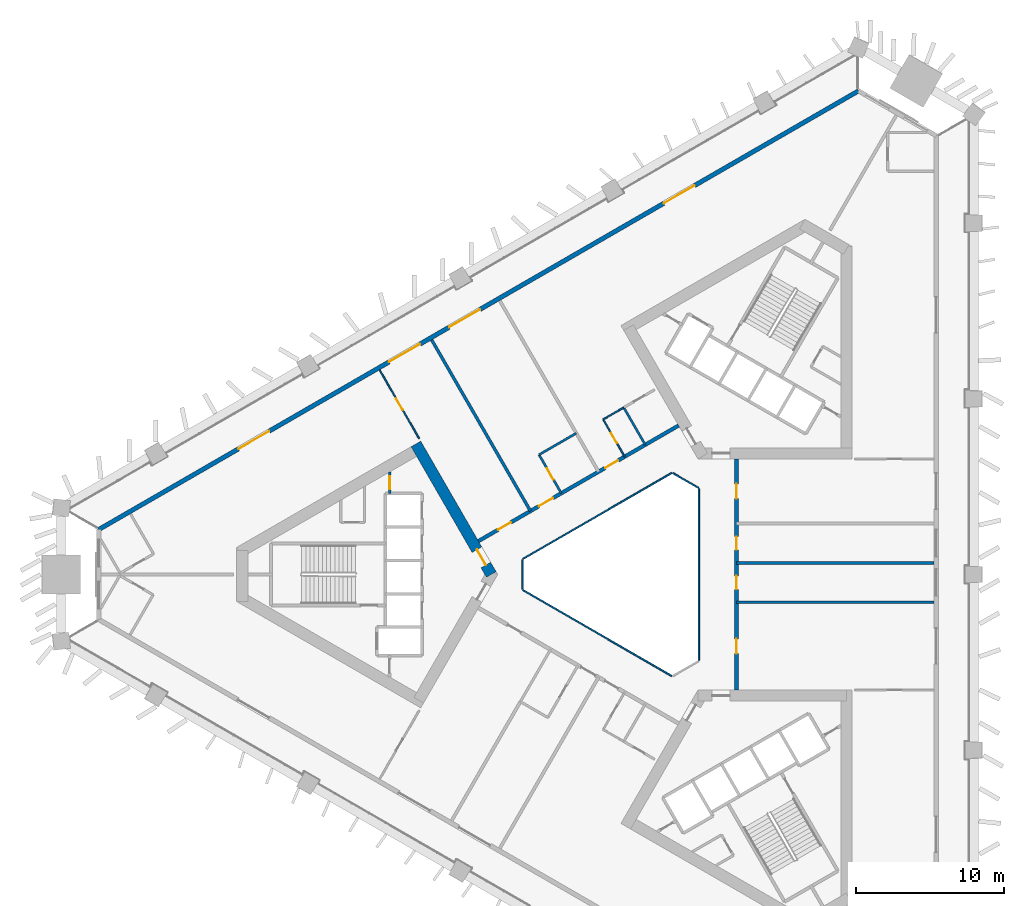
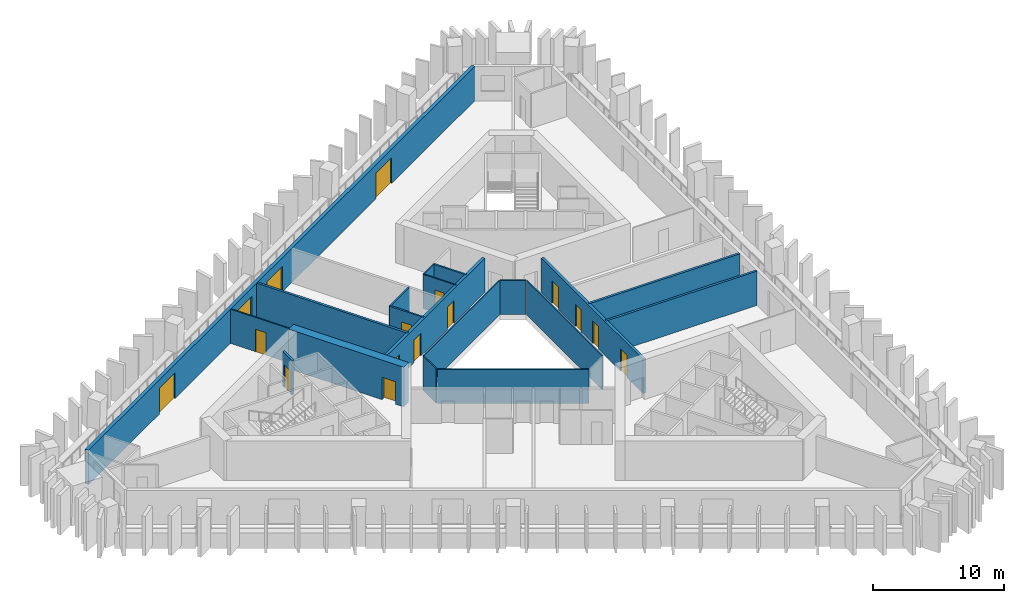
# One storey, part 5 of 11: 19 walls, 16 doors, 16 openings.
"""IFC4 building model written with IfcOpenShell, lengths in metres."""

from ifc_helpers import new_model, si_unit, direction, frame, frame_2d, origin, place, context, subcontext, project, spatial, rectangle, extrude, material, layer, layer_set, type_object, element, fill, save


model = new_model("IFC4")

# Units and contexts
model_context = context("Model", 3, precision=1e-05, world=origin(), true_north=direction((0.0, 1.0)))
body_context = subcontext(model_context, "Body", "Model", "MODEL_VIEW")
ifc_project = project(units=[si_unit("LENGTHUNIT", "METRE"), si_unit("AREAUNIT", "SQUARE_METRE"), si_unit("VOLUMEUNIT", "CUBIC_METRE"), si_unit("PLANEANGLEUNIT", "RADIAN"), si_unit("MASSUNIT", "GRAM", prefix="KILO")], contexts=[model_context])

# Site, building, storey
site_placement = place(None, origin())
site = spatial("IfcSite", under=ifc_project, at=site_placement, CompositionType="ELEMENT")
building_placement = place(site_placement, origin())
building = spatial("IfcBuilding", under=site, at=building_placement, Name="Jabali Bay Hotel Tower and Convention Centre", CompositionType="ELEMENT")
storey_placement = place(building_placement, frame((0.0, 0.0, 75.800048828125)))
storey = spatial("IfcBuildingStorey", under=building, at=storey_placement, Name="L17", CompositionType="ELEMENT", Elevation=75.800048828125)

# Walls
ifc_material_1 = material(Name="Fire-resistant glazing", Category="glass")
ifc_layer_1 = layer(ifc_material_1, 0.10009765625)
ifc_layer_set_1 = layer_set([ifc_layer_1], Name="Fire-resistant glazing")
wall_type_1 = type_object("IfcWallType", Name="Atrium glazed screen 100", PredefinedType="PARTITIONING", material=ifc_layer_set_1)
wall_1_placement = place(storey_placement, frame((79.56005859375, 74.205810546875, 0.0), z_axis=(0.0, 0.0, 1.0), x_axis=(0.0, 1.0, 0.0)))
element("IfcWall", 1, at=wall_1_placement, inside=storey, type_object=wall_type_1, Name="Atrium screen 1 L17", PredefinedType="PARTITIONING", context=body_context, shape_type="SweptSolid", body=[
    extrude(rectangle(XDim=11.58837890625, YDim=0.10009765625, at=frame_2d((5.794189453125, 0.0))), origin(), (0.0, 0.0, 1.0), 3.199951171875),
])
wall_2_placement = place(storey_placement, frame((79.530029296875, 85.84619140625, 0.0), z_axis=(0.0, 0.0, 1.0), x_axis=(-0.866041268327, 0.499972520799, 0.0)))
element("IfcWall", 2, at=wall_2_placement, inside=storey, type_object=wall_type_1, Name="Atrium screen 2 L17", PredefinedType="PARTITIONING", context=body_context, shape_type="SweptSolid", body=[
    extrude(rectangle(XDim=2.0, YDim=0.10009765625, at=frame_2d((1.0, 0.0))), origin(), (0.0, 0.0, 1.0), 3.199951171875),
])
wall_3_placement = place(storey_placement, frame((77.738037109375, 86.84619140625, 0.0), z_axis=(0.0, 0.0, 1.0), x_axis=(-0.866026658274, -0.499997827154, 0.0)))
element("IfcWall", 3, at=wall_3_placement, inside=storey, type_object=wall_type_1, Name="Atrium screen 3 L17", PredefinedType="PARTITIONING", context=body_context, shape_type="SweptSolid", body=[
    extrude(rectangle(XDim=11.58837890625, YDim=0.10009765625, at=frame_2d((5.794189453125, 0.0))), origin(), (0.0, 0.0, 1.0), 3.199951171875),
])
wall_4_placement = place(storey_placement, frame((67.672119140625, 81.0, 0.0), z_axis=(0.0, 0.0, 1.0), x_axis=(0.0, -1.0, 0.0)))
element("IfcWall", 4, at=wall_4_placement, inside=storey, type_object=wall_type_1, Name="Atrium screen 4 L17", PredefinedType="PARTITIONING", context=body_context, shape_type="SweptSolid", body=[
    extrude(rectangle(XDim=2.0, YDim=0.10009765625, at=frame_2d((1.0, 0.0))), origin(), (0.0, 0.0, 1.0), 3.199951171875),
])
wall_5_placement = place(storey_placement, frame((67.7021484375, 78.947998046875, 0.0), z_axis=(0.0, 0.0, 1.0), x_axis=(0.866026658274, -0.499997827154, 0.0)))
element("IfcWall", 5, at=wall_5_placement, inside=storey, type_object=wall_type_1, Name="Atrium screen 5 L17", PredefinedType="PARTITIONING", context=body_context, shape_type="SweptSolid", body=[
    extrude(rectangle(XDim=11.58837890625, YDim=0.10009765625, at=frame_2d((5.794189453125, 0.0))), origin(), (0.0, 0.0, 1.0), 3.199951171875),
])

# Wall, opening, door
ifc_material_2 = material(Name="Concrete C40", Category="concrete")
ifc_layer_2 = layer(ifc_material_2, 0.199951171875)
ifc_layer_set_2 = layer_set([ifc_layer_2], Name="Concrete C40")
wall_type_2 = type_object("IfcWallType", Name="Core partition wall 200", PredefinedType="PARTITIONING", material=ifc_layer_set_2)
wall_6_placement = place(storey_placement, frame((58.719970703125, 86.916748046875, 0.0), z_axis=(0.0, 0.0, 1.0), x_axis=(0.0, -1.0, 0.0)))
wall_6 = element("IfcWall", 6, at=wall_6_placement, inside=storey, type_object=wall_type_2, Name="Core wall 0.11 L17", PredefinedType="PARTITIONING", context=body_context, shape_type="SweptSolid", body=[
    extrude(rectangle(XDim=1.466796875, YDim=0.199951171875, at=frame_2d((0.7333984375, 0.0))), origin(), (0.0, 0.0, 1.0), 3.199951171875),
])
opening_1_placement = place(wall_6_placement, frame((0.283447265625, 0.0, 0.0)))
opening_1 = element("IfcOpeningElement", 7, at=opening_1_placement, cuts=wall_6, Name="Opening D423", PredefinedType="OPENING", context=body_context, shape_type="SweptSolid", body=[
    extrude(rectangle(XDim=0.89990234375, YDim=2.10009765625, at=frame_2d((0.449951171875, 1.050048828125))), frame((0.0, 0.1103515625, 0.0), z_axis=(0.0, -1.0, 0.0), x_axis=(1.0, 0.0, 0.0)), (0.0, 0.0, 1.0), 0.220947265625),
])
ifc_material_3 = material(Name="Fire-rated steel door", Category="steel")
door_type_1 = type_object("IfcDoorType", Name="Vestibule fire door 900 x 2100", OperationType="NOTDEFINED", PredefinedType="NOTDEFINED", material=ifc_material_3)
door_1_placement = place(opening_1_placement, origin())
door_1 = element("IfcDoor", 8, at=door_1_placement, inside=storey, type_object=door_type_1, Name="Vestibule fire door D423", OperationType="SINGLE_SWING_LEFT", OverallHeight=2.10009765625, OverallWidth=0.89990234375, PredefinedType="NOTDEFINED", context=body_context, shape_type="SweptSolid", body=[
    extrude(rectangle(XDim=0.89990234375, YDim=2.10009765625, at=frame_2d((0.449951171875, 1.050048828125))), frame((0.0, 0.02490234375, 0.0), z_axis=(0.0, -1.0, 0.0), x_axis=(1.0, 0.0, 0.0)), (0.0, 0.0, 1.0), 0.050048828125),
])
fill(opening_1, door_1)

ifc_material_4 = material(Name="Concrete C60", Category="concrete")
ifc_layer_3 = layer(ifc_material_4, 0.75)
ifc_layer_set_3 = layer_set([ifc_layer_3], Name="Concrete C60")
wall_type_3 = type_object("IfcWallType", Name="Core wall 750", PredefinedType="SHEAR", material=ifc_layer_set_3)
wall_7_placement = place(storey_placement, frame((65.56689453125, 80.0, 0.0), z_axis=(0.0, 0.0, 1.0), x_axis=(-0.499988615364, 0.866031976607, 0.0)))
wall_7 = element("IfcWall", 9, at=wall_7_placement, inside=storey, type_object=wall_type_3, Name="Core wall 1.1 L17", PredefinedType="SHEAR", context=body_context, shape_type="SweptSolid", body=[
    extrude(rectangle(XDim=10.163330078125, YDim=0.75, at=frame_2d((5.08154296875, 0.0))), origin(), (0.0, 0.0, 1.0), 3.699951171875),
])
opening_2_placement = place(wall_7_placement, frame((0.7333984375, 0.0, 0.0)))
opening_2 = element("IfcOpeningElement", 10, at=opening_2_placement, cuts=wall_7, Name="Opening D420", PredefinedType="OPENING", context=body_context, shape_type="SweptSolid", body=[
    extrude(rectangle(XDim=1.199951171875, YDim=2.10009765625, at=frame_2d((0.60009765625, 1.050048828125))), frame((0.0, 0.385498046875, 0.0), z_axis=(0.0, -1.0, 0.0), x_axis=(1.0, 0.0, 0.0)), (0.0, 0.0, 1.0), 0.77099609375),
])
door_type_2 = type_object("IfcDoorType", Name="Corridor end fire door 1200 x 2100", OperationType="NOTDEFINED", PredefinedType="NOTDEFINED", material=ifc_material_3)
door_2_placement = place(opening_2_placement, origin())
door_2 = element("IfcDoor", 11, at=door_2_placement, inside=storey, type_object=door_type_2, Name="Corridor end fire door D420", OperationType="SINGLE_SWING_RIGHT", OverallHeight=2.10009765625, OverallWidth=1.199951171875, PredefinedType="NOTDEFINED", context=body_context, shape_type="SweptSolid", body=[
    extrude(rectangle(XDim=1.199951171875, YDim=2.10009765625, at=frame_2d((0.60009765625, 1.050048828125))), frame((0.0, 0.02490234375, 0.0), z_axis=(0.0, -1.0, 0.0), x_axis=(1.0, 0.0, 0.0)), (0.0, 0.0, 1.0), 0.050048828125),
])
fill(opening_2, door_2)

# Wall, openings, doors
ifc_layer_4 = layer(ifc_material_4, 0.25)
ifc_layer_set_4 = layer_set([ifc_layer_4], Name="Concrete C60")
wall_type_4 = type_object("IfcWallType", Name="Corridor wall 250", PredefinedType="SHEAR", material=ifc_layer_set_4)
wall_8_placement = place(storey_placement, frame((82.10009765625, 72.205810546875, 0.0), z_axis=(0.0, 0.0, 1.0), x_axis=(0.0, 1.0, 0.0)))
wall_8 = element("IfcWall", 12, at=wall_8_placement, inside=storey, type_object=wall_type_4, Name="Corridor wall 1 L17", PredefinedType="SHEAR", context=body_context, shape_type="SweptSolid", body=[
    extrude(rectangle(XDim=15.58837890625, YDim=0.25, at=frame_2d((7.794189453125, 0.0))), origin(), (0.0, 0.0, 1.0), 3.199951171875),
])
opening_3_placement = place(wall_8_placement, frame((2.4619140625, 0.0, 0.0)))
opening_3 = element("IfcOpeningElement", 13, at=opening_3_placement, cuts=wall_8, Name="Opening 1701", PredefinedType="OPENING", context=body_context, shape_type="SweptSolid", body=[
    extrude(rectangle(XDim=1.0, YDim=2.10009765625, at=frame_2d((0.5, 1.050048828125))), frame((0.0, 0.135498046875, 0.0), z_axis=(0.0, -1.0, 0.0), x_axis=(1.0, 0.0, 0.0)), (0.0, 0.0, 1.0), 0.27099609375),
])
opening_4_placement = place(wall_8_placement, frame((6.798583984375, 0.0, 0.0)))
opening_4 = element("IfcOpeningElement", 14, at=opening_4_placement, cuts=wall_8, Name="Opening 1704", PredefinedType="OPENING", context=body_context, shape_type="SweptSolid", body=[
    extrude(rectangle(XDim=0.89990234375, YDim=2.10009765625, at=frame_2d((0.449951171875, 1.050048828125))), frame((0.0, 0.135498046875, 0.0), z_axis=(0.0, -1.0, 0.0), x_axis=(1.0, 0.0, 0.0)), (0.0, 0.0, 1.0), 0.27099609375),
])
opening_5_placement = place(wall_8_placement, frame((9.44873046875, 0.0, 0.0)))
opening_5 = element("IfcOpeningElement", 15, at=opening_5_placement, cuts=wall_8, Name="Opening 1705", PredefinedType="OPENING", context=body_context, shape_type="SweptSolid", body=[
    extrude(rectangle(XDim=0.89990234375, YDim=2.10009765625, at=frame_2d((0.449951171875, 1.050048828125))), frame((0.0, 0.135498046875, 0.0), z_axis=(0.0, -1.0, 0.0), x_axis=(1.0, 0.0, 0.0)), (0.0, 0.0, 1.0), 0.27099609375),
])
opening_6_placement = place(wall_8_placement, frame((12.906005859375, 0.0, 0.0)))
opening_6 = element("IfcOpeningElement", 16, at=opening_6_placement, cuts=wall_8, Name="Opening 1706", PredefinedType="OPENING", context=body_context, shape_type="SweptSolid", body=[
    extrude(rectangle(XDim=1.0, YDim=2.10009765625, at=frame_2d((0.5, 1.050048828125))), frame((0.0, 0.135498046875, 0.0), z_axis=(0.0, -1.0, 0.0), x_axis=(1.0, 0.0, 0.0)), (0.0, 0.0, 1.0), 0.27099609375),
])
ifc_material_5 = material(Name="Timber", Category="wood")
door_type_3 = type_object("IfcDoorType", Name="Guest room door 1000 x 2100", OperationType="NOTDEFINED", PredefinedType="NOTDEFINED", material=ifc_material_5)
door_3_placement = place(opening_3_placement, origin())
door_3 = element("IfcDoor", 17, at=door_3_placement, inside=storey, type_object=door_type_3, Name="Door 1701", OperationType="SINGLE_SWING_LEFT", OverallHeight=2.10009765625, OverallWidth=1.0, PredefinedType="NOTDEFINED", context=body_context, shape_type="SweptSolid", body=[
    extrude(rectangle(XDim=1.0, YDim=2.10009765625, at=frame_2d((0.5, 1.050048828125))), frame((0.0, 0.02490234375, 0.0), z_axis=(0.0, -1.0, 0.0), x_axis=(1.0, 0.0, 0.0)), (0.0, 0.0, 1.0), 0.050048828125),
])
fill(opening_3, door_3)
door_4_placement = place(opening_6_placement, origin())
door_4 = element("IfcDoor", 18, at=door_4_placement, inside=storey, type_object=door_type_3, Name="Door 1706", OperationType="SINGLE_SWING_RIGHT", OverallHeight=2.10009765625, OverallWidth=1.0, PredefinedType="NOTDEFINED", context=body_context, shape_type="SweptSolid", body=[
    extrude(rectangle(XDim=1.0, YDim=2.10009765625, at=frame_2d((0.5, 1.050048828125))), frame((0.0, 0.02490234375, 0.0), z_axis=(0.0, -1.0, 0.0), x_axis=(1.0, 0.0, 0.0)), (0.0, 0.0, 1.0), 0.050048828125),
])
fill(opening_6, door_4)
door_type_4 = type_object("IfcDoorType", Name="Internal door 900 x 2100", OperationType="NOTDEFINED", PredefinedType="NOTDEFINED", material=ifc_material_5)
door_5_placement = place(opening_4_placement, origin())
door_5 = element("IfcDoor", 19, at=door_5_placement, inside=storey, type_object=door_type_4, Name="Door 1704", OperationType="SINGLE_SWING_LEFT", OverallHeight=2.10009765625, OverallWidth=0.89990234375, PredefinedType="NOTDEFINED", context=body_context, shape_type="SweptSolid", body=[
    extrude(rectangle(XDim=0.89990234375, YDim=2.10009765625, at=frame_2d((0.449951171875, 1.050048828125))), frame((0.0, 0.02490234375, 0.0), z_axis=(0.0, -1.0, 0.0), x_axis=(1.0, 0.0, 0.0)), (0.0, 0.0, 1.0), 0.050048828125),
])
fill(opening_4, door_5)
door_6_placement = place(opening_5_placement, origin())
door_6 = element("IfcDoor", 20, at=door_6_placement, inside=storey, type_object=door_type_4, Name="Door 1705", OperationType="SINGLE_SWING_RIGHT", OverallHeight=2.10009765625, OverallWidth=0.89990234375, PredefinedType="NOTDEFINED", context=body_context, shape_type="SweptSolid", body=[
    extrude(rectangle(XDim=0.89990234375, YDim=2.10009765625, at=frame_2d((0.449951171875, 1.050048828125))), frame((0.0, 0.02490234375, 0.0), z_axis=(0.0, -1.0, 0.0), x_axis=(1.0, 0.0, 0.0)), (0.0, 0.0, 1.0), 0.050048828125),
])
fill(opening_5, door_6)

wall_9_placement = place(storey_placement, frame((78.199951171875, 90.0458984375, 0.0), z_axis=(0.0, 0.0, 1.0), x_axis=(-0.866026492143, -0.499998114903, 0.0)))
wall_9 = element("IfcWall", 21, at=wall_9_placement, inside=storey, type_object=wall_type_4, Name="Corridor wall 2 L17", PredefinedType="SHEAR", context=body_context, shape_type="SweptSolid", body=[
    extrude(rectangle(XDim=15.58837890625, YDim=0.25, at=frame_2d((7.794189453125, 0.0))), origin(), (0.0, 0.0, 1.0), 3.199951171875),
])
opening_7_placement = place(wall_9_placement, frame((4.7177734375, 0.0, 0.0)))
opening_7 = element("IfcOpeningElement", 22, at=opening_7_placement, cuts=wall_9, Name="Opening 1711", PredefinedType="OPENING", context=body_context, shape_type="SweptSolid", body=[
    extrude(rectangle(XDim=1.0, YDim=2.10009765625, at=frame_2d((0.5, 1.050048828125))), frame((0.0, 0.135498046875, 0.0), z_axis=(0.0, -1.0, 0.0), x_axis=(1.0, 0.0, 0.0)), (0.0, 0.0, 1.0), 0.27099609375),
])
opening_8_placement = place(wall_9_placement, frame((9.785400390625, 0.0, 0.0)))
opening_8 = element("IfcOpeningElement", 23, at=opening_8_placement, cuts=wall_9, Name="Opening 1713", PredefinedType="OPENING", context=body_context, shape_type="SweptSolid", body=[
    extrude(rectangle(XDim=1.10009765625, YDim=2.10009765625, at=frame_2d((0.550048828125, 1.050048828125))), frame((0.0, 0.135498046875, 0.0), z_axis=(0.0, -1.0, 0.0), x_axis=(1.0, 0.0, 0.0)), (0.0, 0.0, 1.0), 0.27099609375),
])
opening_9_placement = place(wall_9_placement, frame((13.06201171875, 0.0, 0.0)))
opening_9 = element("IfcOpeningElement", 24, at=opening_9_placement, cuts=wall_9, Name="Opening 1714", PredefinedType="OPENING", context=body_context, shape_type="SweptSolid", body=[
    extrude(rectangle(XDim=1.0, YDim=2.10009765625, at=frame_2d((0.5, 1.050048828125))), frame((0.0, 0.135498046875, 0.0), z_axis=(0.0, -1.0, 0.0), x_axis=(1.0, 0.0, 0.0)), (0.0, 0.0, 1.0), 0.27099609375),
])
door_type_5 = type_object("IfcDoorType", Name="Accessible guest room door 1100 x 2100", OperationType="NOTDEFINED", PredefinedType="NOTDEFINED", material=ifc_material_5)
door_7_placement = place(opening_8_placement, origin())
door_7 = element("IfcDoor", 25, at=door_7_placement, inside=storey, type_object=door_type_5, Name="Door 1713", OperationType="SINGLE_SWING_RIGHT", OverallHeight=2.10009765625, OverallWidth=1.10009765625, PredefinedType="NOTDEFINED", context=body_context, shape_type="SweptSolid", body=[
    extrude(rectangle(XDim=1.10009765625, YDim=2.10009765625, at=frame_2d((0.550048828125, 1.050048828125))), frame((0.0, 0.02490234375, 0.0), z_axis=(0.0, -1.0, 0.0), x_axis=(1.0, 0.0, 0.0)), (0.0, 0.0, 1.0), 0.050048828125),
])
fill(opening_8, door_7)
door_8_placement = place(opening_7_placement, origin())
door_8 = element("IfcDoor", 26, at=door_8_placement, inside=storey, type_object=door_type_3, Name="Door 1711", OperationType="SINGLE_SWING_LEFT", OverallHeight=2.10009765625, OverallWidth=1.0, PredefinedType="NOTDEFINED", context=body_context, shape_type="SweptSolid", body=[
    extrude(rectangle(XDim=1.0, YDim=2.10009765625, at=frame_2d((0.5, 1.050048828125))), frame((0.0, 0.02490234375, 0.0), z_axis=(0.0, -1.0, 0.0), x_axis=(1.0, 0.0, 0.0)), (0.0, 0.0, 1.0), 0.050048828125),
])
fill(opening_7, door_8)
door_9_placement = place(opening_9_placement, origin())
door_9 = element("IfcDoor", 27, at=door_9_placement, inside=storey, type_object=door_type_3, Name="Door 1714", OperationType="SINGLE_SWING_RIGHT", OverallHeight=2.10009765625, OverallWidth=1.0, PredefinedType="NOTDEFINED", context=body_context, shape_type="SweptSolid", body=[
    extrude(rectangle(XDim=1.0, YDim=2.10009765625, at=frame_2d((0.5, 1.050048828125))), frame((0.0, 0.02490234375, 0.0), z_axis=(0.0, -1.0, 0.0), x_axis=(1.0, 0.0, 0.0)), (0.0, 0.0, 1.0), 0.050048828125),
])
fill(opening_9, door_9)

ifc_layer_5 = layer(ifc_material_2, 0.300048828125)
ifc_layer_set_5 = layer_set([ifc_layer_5], Name="Concrete C40")
wall_type_5 = type_object("IfcWallType", Name="External wall 300", PredefinedType="SOLIDWALL", material=ifc_layer_set_5)
wall_10_placement = place(storey_placement, frame((39.092529296875, 83.027099609375, 0.0), z_axis=(0.0, 0.0, 1.0), x_axis=(0.866024586246, 0.500001416016, 0.0)))
wall_10 = element("IfcWall", 28, at=wall_10_placement, inside=storey, type_object=wall_type_5, Name="External wall north-west face L17", PredefinedType="SOLIDWALL", context=body_context, shape_type="SweptSolid", body=[
    extrude(rectangle(XDim=59.166259765625, YDim=0.300048828125, at=frame_2d((29.5830078125, 0.0))), origin(), (0.0, 0.0, 1.0), 3.199951171875),
])
opening_10_placement = place(wall_10_placement, frame((27.2919921875, 0.0, 0.0)))
opening_10 = element("IfcOpeningElement", 29, at=opening_10_placement, cuts=wall_10, Name="Opening SD1", PredefinedType="OPENING", context=body_context, shape_type="SweptSolid", body=[
    extrude(rectangle(XDim=2.39990234375, YDim=2.39990234375, at=frame_2d((1.199951171875, 1.199951171875))), frame((0.0, 0.16064453125, 0.0), z_axis=(0.0, -1.0, 0.0), x_axis=(1.0, 0.0, 0.0)), (0.0, 0.0, 1.0), 0.321044921875),
])
opening_11_placement = place(wall_10_placement, frame((22.615478515625, 0.0, 0.0)))
opening_11 = element("IfcOpeningElement", 30, at=opening_11_placement, cuts=wall_10, Name="Opening SD1", PredefinedType="OPENING", context=body_context, shape_type="SweptSolid", body=[
    extrude(rectangle(XDim=2.39990234375, YDim=2.39990234375, at=frame_2d((1.199951171875, 1.199951171875))), frame((0.0, 0.16064453125, 0.0), z_axis=(0.0, -1.0, 0.0), x_axis=(1.0, 0.0, 0.0)), (0.0, 0.0, 1.0), 0.321044921875),
])
opening_12_placement = place(wall_10_placement, frame((10.8798828125, 0.0, 0.0)))
opening_12 = element("IfcOpeningElement", 31, at=opening_12_placement, cuts=wall_10, Name="Opening SD1", PredefinedType="OPENING", context=body_context, shape_type="SweptSolid", body=[
    extrude(rectangle(XDim=2.39990234375, YDim=2.39990234375, at=frame_2d((1.199951171875, 1.199951171875))), frame((0.0, 0.16064453125, 0.0), z_axis=(0.0, -1.0, 0.0), x_axis=(1.0, 0.0, 0.0)), (0.0, 0.0, 1.0), 0.321044921875),
])
opening_13_placement = place(wall_10_placement, frame((43.99755859375, 0.0, 0.0)))
opening_13 = element("IfcOpeningElement", 32, at=opening_13_placement, cuts=wall_10, Name="Opening SD1", PredefinedType="OPENING", context=body_context, shape_type="SweptSolid", body=[
    extrude(rectangle(XDim=2.39990234375, YDim=2.39990234375, at=frame_2d((1.199951171875, 1.199951171875))), frame((0.0, 0.16064453125, 0.0), z_axis=(0.0, -1.0, 0.0), x_axis=(1.0, 0.0, 0.0)), (0.0, 0.0, 1.0), 0.321044921875),
])
ifc_material_6 = material(Name="Glass", Category="glass")
door_type_6 = type_object("IfcDoorType", Name="Loggia sliding door 2400 x 2400", OperationType="NOTDEFINED", PredefinedType="NOTDEFINED", material=ifc_material_6)
door_10_placement = place(opening_10_placement, origin())
door_10 = element("IfcDoor", 33, at=door_10_placement, inside=storey, type_object=door_type_6, Name="Loggia sliding door 1706", OperationType="SLIDING_TO_LEFT", OverallHeight=2.39990234375, OverallWidth=2.39990234375, PredefinedType="NOTDEFINED", context=body_context, shape_type="SweptSolid", body=[
    extrude(rectangle(XDim=2.39990234375, YDim=2.39990234375, at=frame_2d((1.199951171875, 1.199951171875))), frame((0.0, 0.02490234375, 0.0), z_axis=(0.0, -1.0, 0.0), x_axis=(1.0, 0.0, 0.0)), (0.0, 0.0, 1.0), 0.050048828125),
])
fill(opening_10, door_10)
door_11_placement = place(opening_11_placement, origin())
door_11 = element("IfcDoor", 34, at=door_11_placement, inside=storey, type_object=door_type_6, Name="Loggia sliding door 1707", OperationType="SLIDING_TO_RIGHT", OverallHeight=2.39990234375, OverallWidth=2.39990234375, PredefinedType="NOTDEFINED", context=body_context, shape_type="SweptSolid", body=[
    extrude(rectangle(XDim=2.39990234375, YDim=2.39990234375, at=frame_2d((1.199951171875, 1.199951171875))), frame((0.0, 0.02490234375, 0.0), z_axis=(0.0, -1.0, 0.0), x_axis=(1.0, 0.0, 0.0)), (0.0, 0.0, 1.0), 0.050048828125),
])
fill(opening_11, door_11)
door_12_placement = place(opening_12_placement, origin())
door_12 = element("IfcDoor", 35, at=door_12_placement, inside=storey, type_object=door_type_6, Name="Loggia sliding door 1707", OperationType="SLIDING_TO_LEFT", OverallHeight=2.39990234375, OverallWidth=2.39990234375, PredefinedType="NOTDEFINED", context=body_context, shape_type="SweptSolid", body=[
    extrude(rectangle(XDim=2.39990234375, YDim=2.39990234375, at=frame_2d((1.199951171875, 1.199951171875))), frame((0.0, 0.02490234375, 0.0), z_axis=(0.0, -1.0, 0.0), x_axis=(1.0, 0.0, 0.0)), (0.0, 0.0, 1.0), 0.050048828125),
])
fill(opening_12, door_12)
door_13_placement = place(opening_13_placement, origin())
door_13 = element("IfcDoor", 36, at=door_13_placement, inside=storey, type_object=door_type_6, Name="Loggia sliding door 1705", OperationType="SLIDING_TO_RIGHT", OverallHeight=2.39990234375, OverallWidth=2.39990234375, PredefinedType="NOTDEFINED", context=body_context, shape_type="SweptSolid", body=[
    extrude(rectangle(XDim=2.39990234375, YDim=2.39990234375, at=frame_2d((1.199951171875, 1.199951171875))), frame((0.0, 0.02490234375, 0.0), z_axis=(0.0, -1.0, 0.0), x_axis=(1.0, 0.0, 0.0)), (0.0, 0.0, 1.0), 0.050048828125),
])
fill(opening_13, door_13)

# Wall, opening, door
ifc_material_7 = material(Name="Plasterboard on steel stud", Category="steel")
ifc_layer_6 = layer(ifc_material_7, 0.10009765625)
ifc_layer_set_6 = layer_set([ifc_layer_6], Name="Plasterboard on steel stud")
wall_type_6 = type_object("IfcWallType", Name="Partition 100 unit", PredefinedType="PARTITIONING", material=ifc_layer_set_6)
wall_11_placement = place(storey_placement, frame((74.562744140625, 87.94580078125, 0.0), z_axis=(0.0, 0.0, 1.0), x_axis=(-0.499987231761, 0.866032775405, 0.0)))
wall_11 = element("IfcWall", 37, at=wall_11_placement, inside=storey, type_object=wall_type_6, Name="Partition P02 L17 015", PredefinedType="PARTITIONING", context=body_context, shape_type="SweptSolid", body=[
    extrude(rectangle(XDim=2.89990234375, YDim=0.10009765625, at=frame_2d((1.449951171875, 0.0))), origin(), (0.0, 0.0, 1.0), 3.199951171875),
])
opening_14_placement = place(wall_11_placement, frame((1.050048828125, 0.0, 0.0)))
opening_14 = element("IfcOpeningElement", 38, at=opening_14_placement, cuts=wall_11, Name="Opening 1710", PredefinedType="OPENING", context=body_context, shape_type="SweptSolid", body=[
    extrude(rectangle(XDim=0.800048828125, YDim=2.10009765625, at=frame_2d((0.39990234375, 1.050048828125))), frame((0.0, 0.060546875, 0.0), z_axis=(0.0, -1.0, 0.0), x_axis=(1.0, 0.0, 0.0)), (0.0, 0.0, 1.0), 0.12109375),
])
door_type_7 = type_object("IfcDoorType", Name="Dressing room door 800 x 2100", OperationType="NOTDEFINED", PredefinedType="NOTDEFINED", material=ifc_material_5)
door_14_placement = place(opening_14_placement, origin())
door_14 = element("IfcDoor", 39, at=door_14_placement, inside=storey, type_object=door_type_7, Name="Door 1710", OperationType="SINGLE_SWING_RIGHT", OverallHeight=2.10009765625, OverallWidth=0.800048828125, PredefinedType="NOTDEFINED", context=body_context, shape_type="SweptSolid", body=[
    extrude(rectangle(XDim=0.800048828125, YDim=2.10009765625, at=frame_2d((0.39990234375, 1.050048828125))), frame((0.0, 0.02490234375, 0.0), z_axis=(0.0, -1.0, 0.0), x_axis=(1.0, 0.0, 0.0)), (0.0, 0.0, 1.0), 0.050048828125),
])
fill(opening_14, door_14)

# Wall
wall_12_placement = place(storey_placement, frame((73.11279296875, 90.457275390625, 0.0), z_axis=(0.0, 0.0, 1.0), x_axis=(0.865989903783, 0.500061482766, 0.0)))
element("IfcWall", 40, at=wall_12_placement, inside=storey, type_object=wall_type_6, Name="Partition P02 L17 016", PredefinedType="PARTITIONING", context=body_context, shape_type="SweptSolid", body=[
    extrude(rectangle(XDim=1.599853515625, YDim=0.10009765625, at=frame_2d((0.7998046875, 0.0))), origin(), (0.0, 0.0, 1.0), 3.199951171875),
])

# Wall, opening, door
wall_13_placement = place(storey_placement, frame((58.036865234375, 93.792724609375, 0.0), z_axis=(0.0, 0.0, 1.0), x_axis=(0.499974070055, -0.866040373927, 0.0)))
wall_13 = element("IfcWall", 41, at=wall_13_placement, inside=storey, type_object=wall_type_6, Name="Partition P02 L17 022", PredefinedType="PARTITIONING", context=body_context, shape_type="SweptSolid", body=[
    extrude(rectangle(XDim=5.347412109375, YDim=0.10009765625, at=frame_2d((2.673828125, 0.0))), origin(), (0.0, 0.0, 1.0), 3.199951171875),
])
opening_15_placement = place(wall_13_placement, frame((2.22412109375, 0.0, 0.0)))
opening_15 = element("IfcOpeningElement", 42, at=opening_15_placement, cuts=wall_13, Name="Opening 1715", PredefinedType="OPENING", context=body_context, shape_type="SweptSolid", body=[
    extrude(rectangle(XDim=0.89990234375, YDim=2.10009765625, at=frame_2d((0.449951171875, 1.050048828125))), frame((0.0, 0.060546875, 0.0), z_axis=(0.0, -1.0, 0.0), x_axis=(1.0, 0.0, 0.0)), (0.0, 0.0, 1.0), 0.12109375),
])
door_15_placement = place(opening_15_placement, origin())
door_15 = element("IfcDoor", 43, at=door_15_placement, inside=storey, type_object=door_type_4, Name="Door 1715", OperationType="SINGLE_SWING_RIGHT", OverallHeight=2.10009765625, OverallWidth=0.89990234375, PredefinedType="NOTDEFINED", context=body_context, shape_type="SweptSolid", body=[
    extrude(rectangle(XDim=0.89990234375, YDim=2.10009765625, at=frame_2d((0.449951171875, 1.050048828125))), frame((0.0, 0.02490234375, 0.0), z_axis=(0.0, -1.0, 0.0), x_axis=(1.0, 0.0, 0.0)), (0.0, 0.0, 1.0), 0.050048828125),
])
fill(opening_15, door_15)

# Wall
ifc_layer_7 = layer(ifc_material_7, 0.14990234375)
ifc_layer_set_7 = layer_set([ifc_layer_7], Name="Plasterboard on steel stud")
wall_type_7 = type_object("IfcWallType", Name="Partition 150 wet", PredefinedType="PARTITIONING", material=ifc_layer_set_7)
wall_14_placement = place(storey_placement, frame((74.498291015625, 91.25732421875, 0.0), z_axis=(0.0, 0.0, 1.0), x_axis=(0.499987231761, -0.866032775405, 0.0)))
element("IfcWall", 44, at=wall_14_placement, inside=storey, type_object=wall_type_7, Name="Partition P03 L17 018", PredefinedType="PARTITIONING", context=body_context, shape_type="SweptSolid", body=[
    extrude(rectangle(XDim=2.89990234375, YDim=0.14990234375, at=frame_2d((1.449951171875, 0.0))), origin(), (0.0, 0.0, 1.0), 3.199951171875),
])

# Wall, opening, door
wall_15_placement = place(storey_placement, frame((70.28857421875, 85.478271484375, 0.0), z_axis=(0.0, 0.0, 1.0), x_axis=(-0.50002537861, 0.866010750942, 0.0)))
wall_15 = element("IfcWall", 45, at=wall_15_placement, inside=storey, type_object=wall_type_7, Name="Partition P03 L17 019", PredefinedType="PARTITIONING", context=body_context, shape_type="SweptSolid", body=[
    extrude(rectangle(XDim=2.999755859375, YDim=0.14990234375, at=frame_2d((1.5, 0.0))), origin(), (0.0, 0.0, 1.0), 3.199951171875),
])
opening_16_placement = place(wall_15_placement, frame((1.050048828125, 0.0, 0.0)))
opening_16 = element("IfcOpeningElement", 46, at=opening_16_placement, cuts=wall_15, Name="Opening 1712", PredefinedType="OPENING", context=body_context, shape_type="SweptSolid", body=[
    extrude(rectangle(XDim=0.89990234375, YDim=2.10009765625, at=frame_2d((0.449951171875, 1.050048828125))), frame((0.0, 0.08544921875, 0.0), z_axis=(0.0, -1.0, 0.0), x_axis=(1.0, 0.0, 0.0)), (0.0, 0.0, 1.0), 0.1708984375),
])
door_type_8 = type_object("IfcDoorType", Name="Accessible en-suite door 900 x 2100", OperationType="NOTDEFINED", PredefinedType="NOTDEFINED", material=ifc_material_5)
door_16_placement = place(opening_16_placement, origin())
door_16 = element("IfcDoor", 47, at=door_16_placement, inside=storey, type_object=door_type_8, Name="Door 1712", OperationType="SINGLE_SWING_RIGHT", OverallHeight=2.10009765625, OverallWidth=0.89990234375, PredefinedType="NOTDEFINED", context=body_context, shape_type="SweptSolid", body=[
    extrude(rectangle(XDim=0.89990234375, YDim=2.10009765625, at=frame_2d((0.449951171875, 1.050048828125))), frame((0.0, 0.02490234375, 0.0), z_axis=(0.0, -1.0, 0.0), x_axis=(1.0, 0.0, 0.0)), (0.0, 0.0, 1.0), 0.050048828125),
])
fill(opening_16, door_16)

# Walls
wall_16_placement = place(storey_placement, frame((68.78857421875, 88.076171875, 0.0), z_axis=(0.0, 0.0, 1.0), x_axis=(0.865996321171, 0.50005036918, 0.0)))
element("IfcWall", 48, at=wall_16_placement, inside=storey, type_object=wall_type_7, Name="Partition P03 L17 020", PredefinedType="PARTITIONING", context=body_context, shape_type="SweptSolid", body=[
    extrude(rectangle(XDim=2.900146484375, YDim=0.14990234375, at=frame_2d((1.4501953125, 0.0))), origin(), (0.0, 0.0, 1.0), 3.199951171875),
])
ifc_layer_8 = layer(ifc_material_7, 0.199951171875)
ifc_layer_set_8 = layer_set([ifc_layer_8], Name="Plasterboard on steel stud")
wall_type_8 = type_object("IfcWallType", Name="Partition 200 party", PredefinedType="PARTITIONING", material=ifc_layer_set_8)
for number, where, z_axis, x_axis, name in (
    (49, (95.42626953125, 78.12939453125, 0.0), (0.0, 0.0, 1.0), (-1.0, 0.0, 0.0), "Partition P01 L17 002"),
    (50, (95.42626953125, 80.779541015625, 0.0), (0.0, 0.0, 1.0), (-1.0, 0.0, 0.0), "Partition P01 L17 007"),
):
    element("IfcWall", number, at=place(storey_placement, frame(where, z_axis=z_axis, x_axis=x_axis)), inside=storey, type_object=wall_type_8, Name=name, PredefinedType="PARTITIONING", context=body_context, shape_type="SweptSolid", body=[
        extrude(rectangle(XDim=13.326171875, YDim=0.199951171875, at=frame_2d((6.6630859375, 0.0))), origin(), (0.0, 0.0, 1.0), 3.199951171875),
    ])
wall_17_placement = place(storey_placement, frame((61.546875, 95.819091796875, 0.0), z_axis=(0.0, 0.0, 1.0), x_axis=(0.499993103482, -0.866029385454, 0.0)))
element("IfcWall", 51, at=wall_17_placement, inside=storey, type_object=wall_type_8, Name="Partition P01 L17 021", PredefinedType="PARTITIONING", context=body_context, shape_type="SweptSolid", body=[
    extrude(rectangle(XDim=13.326416015625, YDim=0.199951171875, at=frame_2d((6.6630859375, 0.0))), origin(), (0.0, 0.0, 1.0), 3.199951171875),
])

save(model, "model.ifc")
